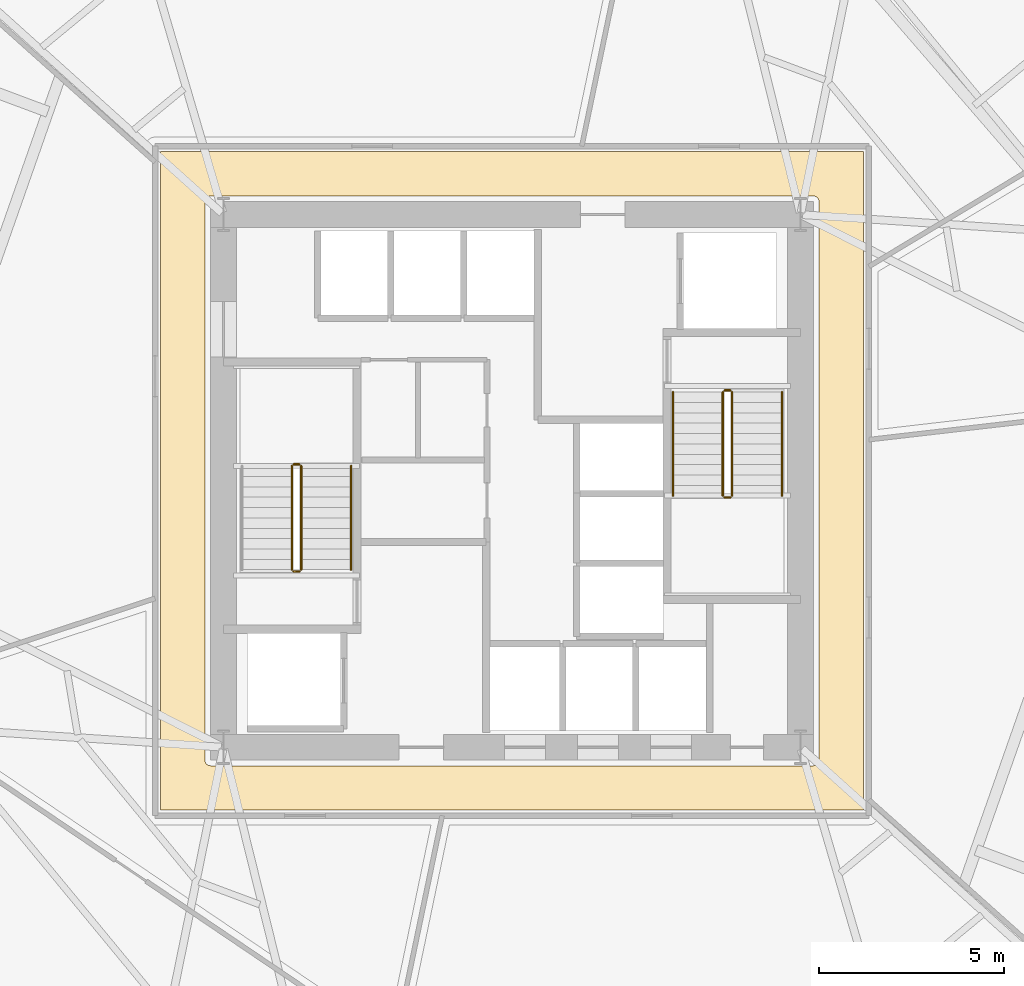
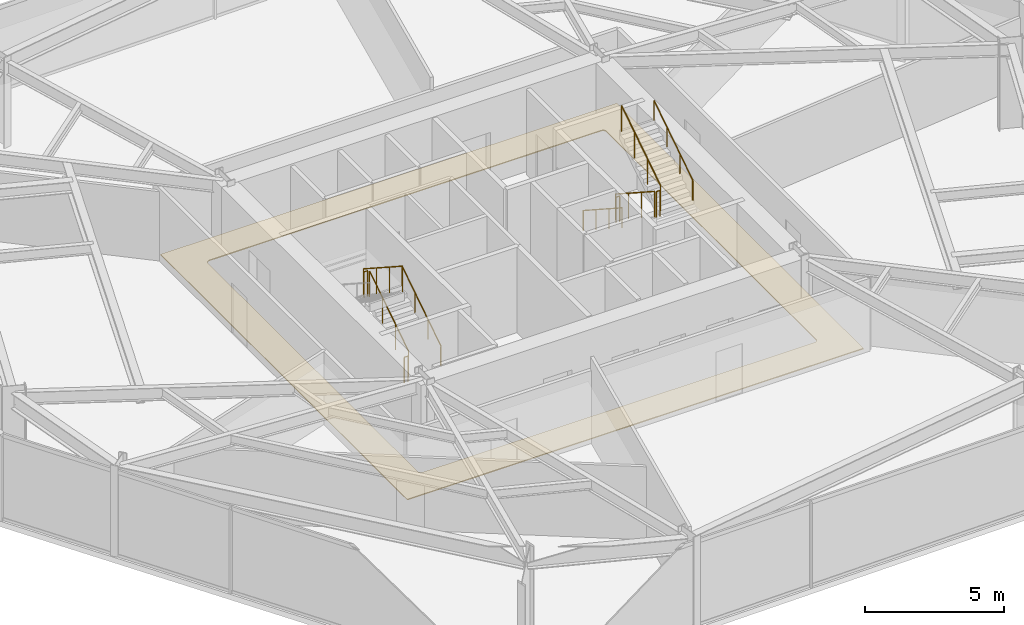
# One storey, part 10 of 11: 11 railings, 1 covering.
"""IFC4 building model written with IfcOpenShell, lengths in metres."""

from ifc_helpers import new_model, si_unit, direction, frame, origin, origin_2d, place, context, subcontext, project, spatial, polyline, circle, outline, extrude, material, layer, layer_set, type_object, element, save


model = new_model("IFC4")

# Units and contexts
model_context = context("Model", 3, precision=1e-05, world=origin(), true_north=direction((0.0, 1.0)))
body_context = subcontext(model_context, "Body", "Model", "MODEL_VIEW")
ifc_project = project(units=[si_unit("LENGTHUNIT", "METRE"), si_unit("AREAUNIT", "SQUARE_METRE"), si_unit("VOLUMEUNIT", "CUBIC_METRE"), si_unit("PLANEANGLEUNIT", "RADIAN"), si_unit("MASSUNIT", "GRAM", prefix="KILO")], contexts=[model_context])

# Site, building, storey
site_placement = place(None, origin())
site = spatial("IfcSite", under=ifc_project, at=site_placement, CompositionType="ELEMENT")
building_placement = place(site_placement, origin())
building = spatial("IfcBuilding", under=site, at=building_placement, Name="Kranzbogen Civic Tower", CompositionType="ELEMENT")
storey_placement = place(building_placement, frame((0.0, 0.0, 24.0)))
storey = spatial("IfcBuildingStorey", under=building, at=storey_placement, Name="L05", CompositionType="ELEMENT", Elevation=24.0)

# Covering
ifc_material_1 = material(Name="Honed Natural Stone Flooring", Category="masonry")
ifc_layer = layer(ifc_material_1, 0.0400390625, Name="Honed Natural Stone Flooring")
ifc_layer_set = layer_set([ifc_layer], Name="Honed Natural Stone Flooring")
covering_type = type_object("IfcCoveringType", Name="Honed Limestone Lobby Flooring 40 mm", PredefinedType="FLOORING", material=ifc_layer_set)
covering_placement = place(storey_placement, origin())
element("IfcCovering", 1, at=covering_placement, inside=storey, type_object=covering_type, Name="L05 concourse stone flooring 1", PredefinedType="FLOORING", context=body_context, shape_type="SweptSolid", body=[
    extrude(outline(polyline([(15.5, 33.89990234375), (34.5, 33.89990234375), (34.5, 16.10009765625), (15.5, 16.10009765625), (15.5, 33.89990234375)]), holes=[polyline([(33.14990234375, 32.699951171875), (33.1650390625, 32.698974609375), (33.178955078125, 32.697021484375), (33.194091796875, 32.694091796875), (33.20703125, 32.68896484375), (33.220947265625, 32.681884765625), (33.23291015625, 32.675048828125), (33.2451171875, 32.666015625), (33.256103515625, 32.656005859375), (33.26611328125, 32.64501953125), (33.27490234375, 32.633056640625), (33.281982421875, 32.62109375), (33.2890625, 32.60693359375), (33.2939453125, 32.593994140625), (33.297119140625, 32.5791015625), (33.299072265625, 32.56494140625), (33.300048828125, 32.550048828125), (33.300048828125, 17.449951171875), (33.299072265625, 17.43505859375), (33.297119140625, 17.4208984375), (33.2939453125, 17.406005859375), (33.2890625, 17.39306640625), (33.281982421875, 17.37890625), (33.27490234375, 17.366943359375), (33.26611328125, 17.35498046875), (33.256103515625, 17.343994140625), (33.2451171875, 17.333984375), (33.23291015625, 17.324951171875), (33.220947265625, 17.318115234375), (33.20703125, 17.31103515625), (33.194091796875, 17.305908203125), (33.178955078125, 17.302978515625), (33.1650390625, 17.301025390625), (33.14990234375, 17.300048828125), (16.85009765625, 17.300048828125), (16.8349609375, 17.301025390625), (16.821044921875, 17.302978515625), (16.805908203125, 17.305908203125), (16.79296875, 17.31103515625), (16.779052734375, 17.318115234375), (16.76708984375, 17.324951171875), (16.7548828125, 17.333984375), (16.743896484375, 17.343994140625), (16.73388671875, 17.35498046875), (16.72509765625, 17.366943359375), (16.718017578125, 17.37890625), (16.7109375, 17.39306640625), (16.7060546875, 17.406005859375), (16.702880859375, 17.4208984375), (16.700927734375, 17.43505859375), (16.699951171875, 17.449951171875), (16.699951171875, 32.550048828125), (16.700927734375, 32.56494140625), (16.702880859375, 32.5791015625), (16.7060546875, 32.593994140625), (16.7109375, 32.60693359375), (16.718017578125, 32.62109375), (16.72509765625, 32.633056640625), (16.73388671875, 32.64501953125), (16.743896484375, 32.656005859375), (16.7548828125, 32.666015625), (16.76708984375, 32.675048828125), (16.779052734375, 32.681884765625), (16.79296875, 32.68896484375), (16.805908203125, 32.694091796875), (16.821044921875, 32.697021484375), (16.8349609375, 32.698974609375), (16.85009765625, 32.699951171875), (33.14990234375, 32.699951171875)])]), origin(), (0.0, 0.0, 1.0), 0.0400390625),
])

# Railings
ifc_material_2 = material(Name="Steel S355", Category="steel")
railing_type_1 = type_object("IfcRailingType", Name="Internal Stair and Void Steel Guardrail 1150", PredefinedType="GUARDRAIL", material=ifc_material_2)
railing_1_placement = place(storey_placement, frame((19.300048828125, 22.60009765625, 0.181884765625)))
element("IfcRailing", 2, at=railing_1_placement, inside=storey, type_object=railing_type_1, Name="L05 ST-T1 stair guard 1", PredefinedType="GUARDRAIL", context=body_context, shape_type="SweptSolid", body=[
    extrude(circle(Radius=0.02392578125, at=origin_2d()), frame((0.0, 0.0, 1.1259765625), z_axis=(0.0, 0.83868413941, 0.544618136222), x_axis=(-1.0, 0.0, 0.0)), (0.0, 0.0, 1.0), 3.33837890625),
    extrude(circle(Radius=0.02099609375, at=origin_2d()), origin(), (0.0, 0.0, 1.0), 1.101806640625),
    extrude(circle(Radius=0.02099609375, at=origin_2d()), frame((0.0, 0.933349609375, 0.60595703125)), (0.0, 0.0, 1.0), 1.101806640625),
    extrude(circle(Radius=0.02099609375, at=origin_2d()), frame((0.0, 1.866455078125, 1.212158203125)), (0.0, 0.0, 1.0), 1.101806640625),
    extrude(circle(Radius=0.02099609375, at=origin_2d()), frame((0.0, 2.7998046875, 1.818115234375)), (0.0, 0.0, 1.0), 1.101806640625),
])
railing_2_placement = place(storey_placement, frame((19.25, 25.449951171875, 2.0)))
element("IfcRailing", 3, at=railing_2_placement, inside=storey, type_object=railing_type_1, Name="L05 ST-T1 stair guard 2", PredefinedType="GUARDRAIL", context=body_context, shape_type="SweptSolid", body=[
    extrude(circle(Radius=0.02392578125, at=origin_2d()), frame((0.0, 0.0, 1.1259765625), z_axis=(-1.0, 0.0, 0.0), x_axis=(0.0, -1.0, 0.0)), (0.0, 0.0, 1.0), 0.14990234375),
    extrude(circle(Radius=0.02099609375, at=origin_2d()), origin(), (0.0, 0.0, 1.0), 1.101806640625),
    extrude(circle(Radius=0.02099609375, at=origin_2d()), frame((-0.14990234375, 0.0, 0.0)), (0.0, 0.0, 1.0), 1.101806640625),
])
railing_3_placement = place(storey_placement, frame((19.050048828125, 25.39990234375, 2.181884765625)))
element("IfcRailing", 4, at=railing_3_placement, inside=storey, type_object=railing_type_1, Name="L05 ST-T1 stair guard 3", PredefinedType="GUARDRAIL", context=body_context, shape_type="SweptSolid", body=[
    extrude(circle(Radius=0.02392578125, at=origin_2d()), frame((0.0, 0.0, 1.1259765625), z_axis=(0.0, -0.83868413941, 0.544618136222), x_axis=(1.0, 0.0, 0.0)), (0.0, 0.0, 1.0), 3.33837890625),
    extrude(circle(Radius=0.02099609375, at=origin_2d()), origin(), (0.0, 0.0, 1.0), 1.101806640625),
    extrude(circle(Radius=0.02099609375, at=origin_2d()), frame((0.0, -0.933349609375, 0.60595703125)), (0.0, 0.0, 1.0), 1.101806640625),
    extrude(circle(Radius=0.02099609375, at=origin_2d()), frame((0.0, -1.866455078125, 1.212158203125)), (0.0, 0.0, 1.0), 1.101806640625),
    extrude(circle(Radius=0.02099609375, at=origin_2d()), frame((0.0, -2.7998046875, 1.818115234375)), (0.0, 0.0, 1.0), 1.101806640625),
])
railing_4_placement = place(storey_placement, frame((19.25, 22.550048828125, 0.0)))
element("IfcRailing", 5, at=railing_4_placement, inside=storey, type_object=railing_type_1, Name="L05 ST-T1 stair guard 4", PredefinedType="GUARDRAIL", context=body_context, shape_type="SweptSolid", body=[
    extrude(circle(Radius=0.02392578125, at=origin_2d()), frame((0.0, 0.0, 1.1259765625), z_axis=(-1.0, 0.0, 0.0), x_axis=(0.0, -1.0, 0.0)), (0.0, 0.0, 1.0), 0.14990234375),
    extrude(circle(Radius=0.02099609375, at=origin_2d()), origin(), (0.0, 0.0, 1.0), 1.101806640625),
    extrude(circle(Radius=0.02099609375, at=origin_2d()), frame((-0.14990234375, 0.0, 0.0)), (0.0, 0.0, 1.0), 1.101806640625),
])
railing_5_placement = place(storey_placement, frame((30.699951171875, 27.39990234375, 0.181884765625)))
element("IfcRailing", 6, at=railing_5_placement, inside=storey, type_object=railing_type_1, Name="L05 ST-T2 stair guard 1", PredefinedType="GUARDRAIL", context=body_context, shape_type="SweptSolid", body=[
    extrude(circle(Radius=0.02392578125, at=origin_2d()), frame((0.0, 0.0, 1.1259765625), z_axis=(0.0, -0.83868413941, 0.544618136222), x_axis=(1.0, 0.0, 0.0)), (0.0, 0.0, 1.0), 3.33837890625),
    extrude(circle(Radius=0.02099609375, at=origin_2d()), origin(), (0.0, 0.0, 1.0), 1.101806640625),
    extrude(circle(Radius=0.02099609375, at=origin_2d()), frame((0.0, -0.933349609375, 0.60595703125)), (0.0, 0.0, 1.0), 1.101806640625),
    extrude(circle(Radius=0.02099609375, at=origin_2d()), frame((0.0, -1.866455078125, 1.212158203125)), (0.0, 0.0, 1.0), 1.101806640625),
    extrude(circle(Radius=0.02099609375, at=origin_2d()), frame((0.0, -2.7998046875, 1.818115234375)), (0.0, 0.0, 1.0), 1.101806640625),
])
railing_6_placement = place(storey_placement, frame((30.75, 24.550048828125, 2.0)))
element("IfcRailing", 7, at=railing_6_placement, inside=storey, type_object=railing_type_1, Name="L05 ST-T2 stair guard 2", PredefinedType="GUARDRAIL", context=body_context, shape_type="SweptSolid", body=[
    extrude(circle(Radius=0.02392578125, at=origin_2d()), frame((0.0, 0.0, 1.1259765625), z_axis=(1.0, 0.0, 0.0), x_axis=(0.0, 1.0, 0.0)), (0.0, 0.0, 1.0), 0.14990234375),
    extrude(circle(Radius=0.02099609375, at=origin_2d()), origin(), (0.0, 0.0, 1.0), 1.101806640625),
    extrude(circle(Radius=0.02099609375, at=origin_2d()), frame((0.14990234375, 0.0, 0.0)), (0.0, 0.0, 1.0), 1.101806640625),
])
railing_7_placement = place(storey_placement, frame((30.949951171875, 24.60009765625, 2.181884765625)))
element("IfcRailing", 8, at=railing_7_placement, inside=storey, type_object=railing_type_1, Name="L05 ST-T2 stair guard 3", PredefinedType="GUARDRAIL", context=body_context, shape_type="SweptSolid", body=[
    extrude(circle(Radius=0.02392578125, at=origin_2d()), frame((0.0, 0.0, 1.1259765625), z_axis=(0.0, 0.83868413941, 0.544618136222), x_axis=(-1.0, 0.0, 0.0)), (0.0, 0.0, 1.0), 3.33837890625),
    extrude(circle(Radius=0.02099609375, at=origin_2d()), origin(), (0.0, 0.0, 1.0), 1.101806640625),
    extrude(circle(Radius=0.02099609375, at=origin_2d()), frame((0.0, 0.933349609375, 0.60595703125)), (0.0, 0.0, 1.0), 1.101806640625),
    extrude(circle(Radius=0.02099609375, at=origin_2d()), frame((0.0, 1.866455078125, 1.212158203125)), (0.0, 0.0, 1.0), 1.101806640625),
    extrude(circle(Radius=0.02099609375, at=origin_2d()), frame((0.0, 2.7998046875, 1.818115234375)), (0.0, 0.0, 1.0), 1.101806640625),
])
railing_8_placement = place(storey_placement, frame((30.75, 27.449951171875, 0.0)))
element("IfcRailing", 9, at=railing_8_placement, inside=storey, type_object=railing_type_1, Name="L05 ST-T2 stair guard 4", PredefinedType="GUARDRAIL", context=body_context, shape_type="SweptSolid", body=[
    extrude(circle(Radius=0.02392578125, at=origin_2d()), frame((0.0, 0.0, 1.1259765625), z_axis=(1.0, 0.0, 0.0), x_axis=(0.0, 1.0, 0.0)), (0.0, 0.0, 1.0), 0.14990234375),
    extrude(circle(Radius=0.02099609375, at=origin_2d()), origin(), (0.0, 0.0, 1.0), 1.101806640625),
    extrude(circle(Radius=0.02099609375, at=origin_2d()), frame((0.14990234375, 0.0, 0.0)), (0.0, 0.0, 1.0), 1.101806640625),
])
ifc_material_3 = material(Name="Pale Anodised Aluminium", Category="aluminium")
railing_type_2 = type_object("IfcRailingType", Name="Tubular Stainless Stair Wall Handrail 900", PredefinedType="HANDRAIL", material=ifc_material_3)
railing_9_placement = place(storey_placement, frame((20.64990234375, 22.60009765625, 0.181884765625)))
element("IfcRailing", 10, at=railing_9_placement, inside=storey, type_object=railing_type_2, Name="L05 ST-T1 stair handrail 1", PredefinedType="HANDRAIL", context=body_context, shape_type="SweptSolid", body=[
    extrude(circle(Radius=0.02392578125, at=origin_2d()), frame((0.0, 0.0, 0.8759765625), z_axis=(0.0, 0.83868413941, 0.544618136222), x_axis=(-1.0, 0.0, 0.0)), (0.0, 0.0, 1.0), 3.33837890625),
    extrude(circle(Radius=0.02099609375, at=origin_2d()), origin(), (0.0, 0.0, 1.0), 0.851806640625),
    extrude(circle(Radius=0.02099609375, at=origin_2d()), frame((0.0, 0.933349609375, 0.60595703125)), (0.0, 0.0, 1.0), 0.851806640625),
    extrude(circle(Radius=0.02099609375, at=origin_2d()), frame((0.0, 1.866455078125, 1.212158203125)), (0.0, 0.0, 1.0), 0.851806640625),
    extrude(circle(Radius=0.02099609375, at=origin_2d()), frame((0.0, 2.7998046875, 1.818115234375)), (0.0, 0.0, 1.0), 0.851806640625),
])
railing_10_placement = place(storey_placement, frame((29.35009765625, 27.39990234375, 0.181884765625)))
element("IfcRailing", 11, at=railing_10_placement, inside=storey, type_object=railing_type_2, Name="L05 ST-T2 stair handrail 1", PredefinedType="HANDRAIL", context=body_context, shape_type="SweptSolid", body=[
    extrude(circle(Radius=0.02392578125, at=origin_2d()), frame((0.0, 0.0, 0.8759765625), z_axis=(0.0, -0.83868413941, 0.544618136222), x_axis=(1.0, 0.0, 0.0)), (0.0, 0.0, 1.0), 3.33837890625),
    extrude(circle(Radius=0.02099609375, at=origin_2d()), origin(), (0.0, 0.0, 1.0), 0.851806640625),
    extrude(circle(Radius=0.02099609375, at=origin_2d()), frame((0.0, -0.933349609375, 0.60595703125)), (0.0, 0.0, 1.0), 0.851806640625),
    extrude(circle(Radius=0.02099609375, at=origin_2d()), frame((0.0, -1.866455078125, 1.212158203125)), (0.0, 0.0, 1.0), 0.851806640625),
    extrude(circle(Radius=0.02099609375, at=origin_2d()), frame((0.0, -2.7998046875, 1.818115234375)), (0.0, 0.0, 1.0), 0.851806640625),
])
railing_11_placement = place(storey_placement, frame((32.300048828125, 24.60009765625, 2.181884765625)))
element("IfcRailing", 12, at=railing_11_placement, inside=storey, type_object=railing_type_2, Name="L05 ST-T2 stair handrail 2", PredefinedType="HANDRAIL", context=body_context, shape_type="SweptSolid", body=[
    extrude(circle(Radius=0.02392578125, at=origin_2d()), frame((0.0, 0.0, 0.8759765625), z_axis=(0.0, 0.83868413941, 0.544618136222), x_axis=(-1.0, 0.0, 0.0)), (0.0, 0.0, 1.0), 3.33837890625),
    extrude(circle(Radius=0.02099609375, at=origin_2d()), origin(), (0.0, 0.0, 1.0), 0.851806640625),
    extrude(circle(Radius=0.02099609375, at=origin_2d()), frame((0.0, 0.933349609375, 0.60595703125)), (0.0, 0.0, 1.0), 0.851806640625),
    extrude(circle(Radius=0.02099609375, at=origin_2d()), frame((0.0, 1.866455078125, 1.212158203125)), (0.0, 0.0, 1.0), 0.851806640625),
    extrude(circle(Radius=0.02099609375, at=origin_2d()), frame((0.0, 2.7998046875, 1.818115234375)), (0.0, 0.0, 1.0), 0.851806640625),
])

save(model, "model.ifc")
